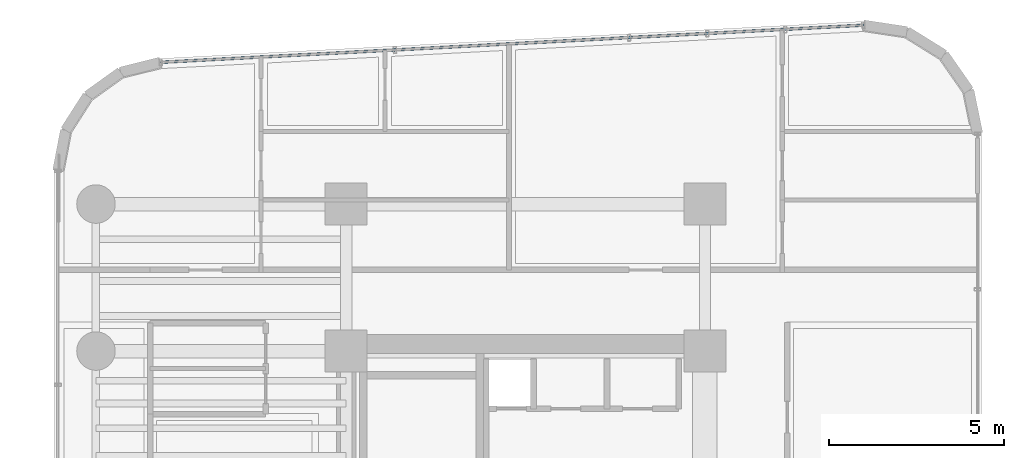
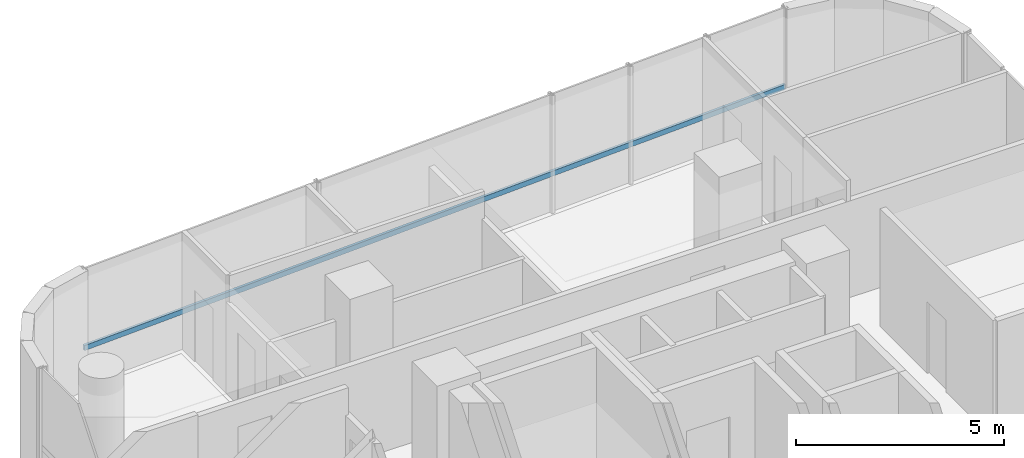
# One storey, part 21 of 34: 1 member, 1 element without a shape of its own.
"""IFC4 building model written with IfcOpenShell, lengths in metres."""

from ifc_helpers import new_model, si_unit, direction, frame, origin, origin_2d, place, context, subcontext, project, spatial, hollow_rectangle, extrude, source, transform, mapped, material, material_profile, profile_set, type_object, element, aggregate, save


model = new_model("IFC4")

# Units and contexts
model_context = context("Model", 3, precision=1e-05, world=origin(), true_north=direction((0.0, 1.0)))
body_context = subcontext(model_context, "Body", "Model", "MODEL_VIEW")
ifc_project = project(units=[si_unit("LENGTHUNIT", "METRE"), si_unit("AREAUNIT", "SQUARE_METRE"), si_unit("VOLUMEUNIT", "CUBIC_METRE"), si_unit("PLANEANGLEUNIT", "RADIAN"), si_unit("MASSUNIT", "GRAM", prefix="KILO")], contexts=[model_context])

# Site, building, storey
site_placement = place(None, origin())
site = spatial("IfcSite", under=ifc_project, at=site_placement, CompositionType="ELEMENT")
building_placement = place(site_placement, origin())
building = spatial("IfcBuilding", under=site, at=building_placement, Name="Valdorenza Pilgrim Sanctuary Tower", CompositionType="ELEMENT")
storey_placement = place(building_placement, frame((0.0, 0.0, 161.199951171875)))
storey = spatial("IfcBuildingStorey", under=building, at=storey_placement, Name="L41", CompositionType="ELEMENT", Elevation=161.199951171875)

# Curtain wall, member
ifc_material_1 = material(Name="Curtain-wall IGU glazing", Category="glass")
curtain_wall_type = type_object("IfcCurtainWallType", Name="CW-SYS-02", PredefinedType="NOTDEFINED", material=ifc_material_1)
curtain_wall_placement = place(storey_placement, origin())
curtain_wall = element("IfcCurtainWall", 1, at=curtain_wall_placement, inside=storey, type_object=curtain_wall_type, Name="L41 Curtain Wall CW-L41-1-6", PredefinedType="NOTDEFINED")
ifc_material_2 = material(Name="Anodised aluminium AW-6060", Category="aluminium")
ifc_material_profile = material_profile(ifc_material_2, hollow_rectangle(XDim=0.074951171875, YDim=0.14990234375, WallThickness=0.00390625, at=origin_2d()), Name="ALU-T 150x75x4")
ifc_profile_set = profile_set([ifc_material_profile], Name="Anodised aluminium AW-6060")
member_type = type_object("IfcMemberType", Name="CW-TRN-02", PredefinedType="USERDEFINED", material=ifc_profile_set)
shared_shape = source(origin(), body_context, "Body", "SweptSolid", [
    extrude(hollow_rectangle(XDim=0.074951171875, YDim=0.14990234375, WallThickness=0.00390625, at=origin_2d()), origin(), (0.0, 0.0, 1.0), 20.106201171875),
])
member_placement = place(storey_placement, frame((-27.952392578125, 18.850830078125, 1.1201171875), z_axis=(0.998607243081, 0.052759587441, 0.0), x_axis=(-0.052759587441, 0.998607243081, 0.0)))
member = element("IfcMember", 2, at=member_placement, type_object=member_type, Name="CW-L41-1-6 Transom 1", ObjectType="TRANSOM", PredefinedType="USERDEFINED", context=body_context, shape_type="MappedRepresentation", body=[
    mapped(shared_shape, transform((0.0, 0.0, 0.0), x_axis=(1.0, 0.0, 0.0), y_axis=(0.0, 1.0, 0.0), z_axis=(0.0, 0.0, 1.0), scale=1.0)),
])
aggregate(curtain_wall, [member])

save(model, "model.ifc")
